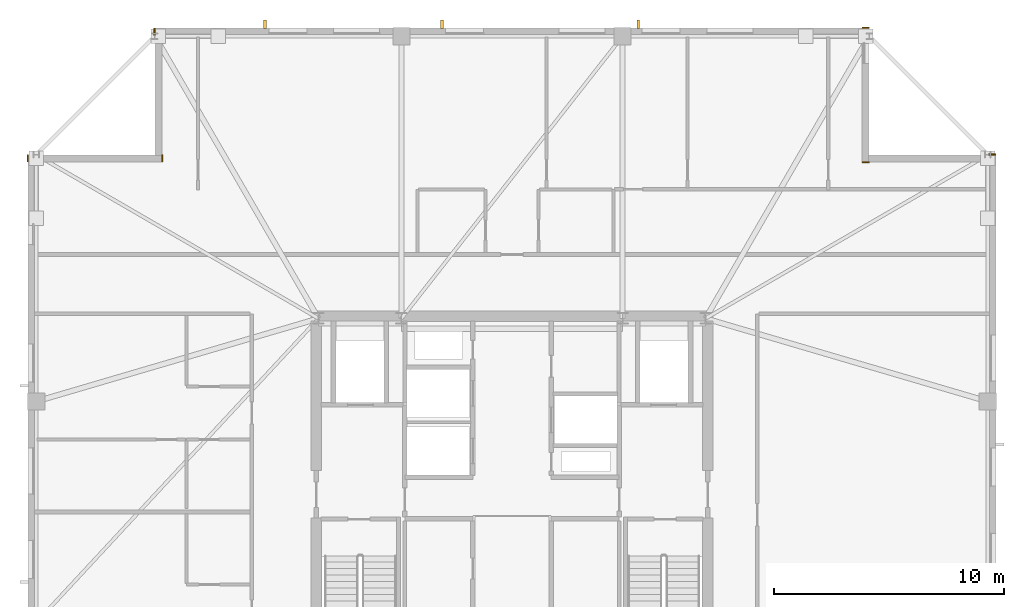
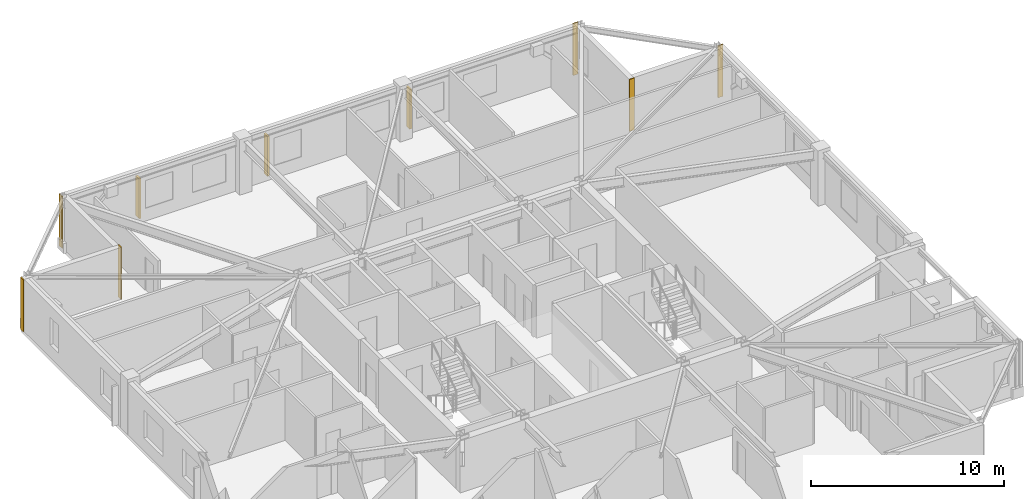
# One storey, part 15 of 15: 6 coverings, 3 shading devices.
"""IFC4 building model written with IfcOpenShell, lengths in metres."""

import ifcopenshell
import ifcopenshell.guid

model = None  # the IFC model being written
_history = None  # IfcOwnerHistory: only IFC2X3 demands one
_inside = {}  # id of a spatial element -> (the spatial element, [elements in it])
_under = {}  # id of a project, library or spatial element -> (it, [spatial elements below it])
_declared = {}  # id of a project -> (the project, [libraries it declares])
_typed = {}  # id of a type object -> (the type object, [elements of that type])
_made_of = {}  # id of a material, layer set ... -> (it, [elements and type objects made of it])


def new_model(schema):
    """Start an empty IFC model of exactly this schema.

    Asked for "IFC4X3", IfcOpenShell would pick the latest addendum, in which some entities
    have other attributes; the version numbers below select the first issue.
    IFC2X3 requires an IfcOwnerHistory on every rooted entity: one is made here for all.
    """
    global model, _history
    if schema == "IFC4X3":
        model = ifcopenshell.file(schema_version=(4, 3, 0, 0))
    else:
        model = ifcopenshell.file(schema=schema)
    _inside.clear()
    _under.clear()
    _declared.clear()
    _typed.clear()
    _made_of.clear()
    _history = None
    if model.schema == "IFC2X3":
        org = make("IfcOrganization", Name="unknown")
        user = make(
            "IfcPersonAndOrganization",
            ThePerson=make("IfcPerson", FamilyName="unknown"),
            TheOrganization=org,
        )
        app = make(
            "IfcApplication",
            ApplicationDeveloper=org,
            Version="unknown",
            ApplicationFullName="unknown",
            ApplicationIdentifier="unknown",
        )
        _history = make(
            "IfcOwnerHistory",
            OwningUser=user,
            OwningApplication=app,
            ChangeAction="ADDED",
            CreationDate=0,
        )
    return model


def make(cls, **values):
    """One entity of the class cls with the attributes given. An attribute that is None is left unset."""
    return model.create_entity(
        cls, **{name: value for name, value in values.items() if value is not None}
    )


def rooted(cls, **values):
    """An entity with a GlobalId (a new one), such as an element, a storey or a relation."""
    return make(cls, GlobalId=ifcopenshell.guid.new(), OwnerHistory=_history, **values)


def si_unit(unit_type, name, prefix=None):
    """IfcSIUnit, for example si_unit("LENGTHUNIT", "METRE", prefix="MILLI")."""
    return make("IfcSIUnit", UnitType=unit_type, Prefix=prefix, Name=name)


def assignment(units):
    """IfcUnitAssignment: the units of a project."""
    return None if units is None else make("IfcUnitAssignment", Units=units)


def point(xyz):
    """IfcCartesianPoint."""
    return None if xyz is None else make("IfcCartesianPoint", Coordinates=xyz)


def direction(xyz):
    """IfcDirection."""
    return None if xyz is None else make("IfcDirection", DirectionRatios=xyz)


def frame(location, z_axis=None, x_axis=None):
    """IfcAxis2Placement3D, a coordinate frame: its origin and axes. An axis left out is left unset."""
    return make(
        "IfcAxis2Placement3D",
        Location=point(location),
        Axis=direction(z_axis),
        RefDirection=direction(x_axis),
    )


def frame_2d(location, x_axis=None):
    """IfcAxis2Placement2D, a coordinate frame in the plane: its origin and x axis."""
    return make(
        "IfcAxis2Placement2D", Location=point(location), RefDirection=direction(x_axis)
    )


def origin():
    """The frame at (0, 0, 0) with its axes left unset."""
    return frame((0.0, 0.0, 0.0))


def origin_2d():
    """The frame at (0, 0) in the plane with its x axis left unset."""
    return frame_2d((0.0, 0.0))


def place(relative_to, where):
    """IfcLocalPlacement: puts the frame where relative to a parent placement (None: the world)."""
    return make(
        "IfcLocalPlacement", PlacementRelTo=relative_to, RelativePlacement=where
    )


def context(
    kind, dimensions, precision=None, world=None, true_north=None, identifier=None
):
    """IfcGeometricRepresentationContext, for example the 3D "Model" context."""
    return make(
        "IfcGeometricRepresentationContext",
        ContextIdentifier=identifier,
        ContextType=kind,
        CoordinateSpaceDimension=dimensions,
        Precision=precision,
        WorldCoordinateSystem=world,
        TrueNorth=true_north,
    )


def subcontext(parent, identifier, kind, view, scale=None):
    """IfcGeometricRepresentationSubContext, for example "Body" below "Model"."""
    return make(
        "IfcGeometricRepresentationSubContext",
        ContextIdentifier=identifier,
        ContextType=kind,
        ParentContext=parent,
        TargetScale=scale,
        TargetView=view,
    )


def project(units=None, contexts=None):
    """IfcProject with its units and contexts."""
    return rooted(
        "IfcProject",
        Name="project",
        RepresentationContexts=contexts,
        UnitsInContext=assignment(units),
    )


def spatial(cls, under=None, at=None, **own):
    """A site, building, storey or space (cls), placed at a placement, below another one or the project."""
    s = rooted(cls, ObjectPlacement=at, **own)
    if under is not None:
        _under.setdefault(under.id(), (under, []))[1].append(s)
    return s


def profile(cls, at=None, kind="AREA", **sizes):
    """A parametric profile (cls). Its sizes go by their IFC names, for example OverallWidth=200.0."""
    return make(cls, ProfileType=kind, Position=at, **sizes)


def rectangle(**sizes):
    """IfcRectangleProfileDef."""
    return profile("IfcRectangleProfileDef", **sizes)


def extrude(swept, where, along, depth):
    """IfcExtrudedAreaSolid: the profile swept, set in the frame where, extruded along a direction by depth."""
    return make(
        "IfcExtrudedAreaSolid",
        SweptArea=swept,
        Position=where,
        ExtrudedDirection=direction(along),
        Depth=depth,
    )


def shape(context_of_items, identifier, shape_type, items):
    """IfcShapeRepresentation: the items that make up one representation, for example the "Body"."""
    return make(
        "IfcShapeRepresentation",
        ContextOfItems=context_of_items,
        RepresentationIdentifier=identifier,
        RepresentationType=shape_type,
        Items=items,
    )


def material(Name=None, Category=None):
    """IfcMaterial."""
    return make("IfcMaterial", Name=Name, Category=Category)


def layer(
    of_material, thickness, ventilated=None, Name=None, Category=None, Priority=None
):
    """IfcMaterialLayer: one layer of a wall or slab, of a material (None: an air gap)."""
    return make(
        "IfcMaterialLayer",
        Material=of_material,
        LayerThickness=thickness,
        IsVentilated=ventilated,
        Name=Name,
        Category=Category,
        Priority=Priority,
    )


def layer_set(layers, Name=None):
    """IfcMaterialLayerSet."""
    return make("IfcMaterialLayerSet", MaterialLayers=layers, LayerSetName=Name)


def made_of(thing, what):
    """Note that an element or type object is made of a material, layer set ...; save() writes the relation."""
    if what is not None:
        _made_of.setdefault(what.id(), (what, []))[1].append(thing)
    return thing


def type_object(cls, material=None, **own):
    """A type object (cls), such as IfcWallType, which elements share."""
    return made_of(rooted(cls, **own), material)


def element(
    cls,
    number,
    at=None,
    inside=None,
    cuts=None,
    type_object=None,
    material=None,
    context=None,
    identifier="Body",
    shape_type=None,
    held_by="IfcProductDefinitionShape",
    body=None,
    shapes=None,
    **own,
):
    """One element of the class cls, such as IfcWall. Its Tag is "e" and its number.

    at: its placement. inside: the storey or other place that contains it. cuts: it is an
    opening in that element (IfcRelVoidsElement). A single representation is given by context,
    identifier, shape_type and body (its items); several are given by shapes. held_by: the class
    of the entity that holds the representations. save() writes the other relations.
    """
    e = rooted(cls, Tag="e%d" % number, ObjectPlacement=at, **own)
    if body is not None:
        shapes = [shape(context, identifier, shape_type, body)]
    if shapes is not None:
        e.Representation = make(held_by, Representations=shapes)
    if inside is not None:
        _inside.setdefault(inside.id(), (inside, []))[1].append(e)
    if cuts is not None:
        rooted(
            "IfcRelVoidsElement", RelatingBuildingElement=cuts, RelatedOpeningElement=e
        )
    if type_object is not None:
        _typed.setdefault(type_object.id(), (type_object, []))[1].append(e)
    return made_of(e, material)


def aggregate(whole, parts):
    """IfcRelAggregates: a whole, such as a stair, and the parts it consists of."""
    return rooted("IfcRelAggregates", RelatingObject=whole, RelatedObjects=parts)


def save(model, path):
    """Write the relations noted so far, then the file.

    IfcRelAggregates (storeys below a building ...), IfcRelContainedInSpatialStructure (elements
    in a storey), IfcRelDefinesByType, IfcRelAssociatesMaterial and IfcRelDeclares: one each for
    every whole, place, type object, material and project.
    """
    for whole, parts in _under.values():
        aggregate(whole, parts)
    for where, things in _inside.values():
        rooted(
            "IfcRelContainedInSpatialStructure",
            RelatedElements=things,
            RelatingStructure=where,
        )
    for kind, things in _typed.values():
        rooted("IfcRelDefinesByType", RelatedObjects=things, RelatingType=kind)
    for what, things in _made_of.values():
        rooted("IfcRelAssociatesMaterial", RelatedObjects=things, RelatingMaterial=what)
    for by, libraries in _declared.values():
        rooted("IfcRelDeclares", RelatingContext=by, RelatedDefinitions=libraries)
    model.write(path)


model = new_model("IFC4")

# Units and contexts
model_context = context("Model", 3, precision=1e-05, world=origin(), true_north=direction((0.0, 1.0)))
body_context = subcontext(model_context, "Body", "Model", "MODEL_VIEW")
ifc_project = project(units=[si_unit("LENGTHUNIT", "METRE"), si_unit("AREAUNIT", "SQUARE_METRE"), si_unit("VOLUMEUNIT", "CUBIC_METRE"), si_unit("PLANEANGLEUNIT", "RADIAN"), si_unit("MASSUNIT", "GRAM", prefix="KILO")], contexts=[model_context])

# Site, building, storey
site_placement = place(None, origin())
site = spatial("IfcSite", under=ifc_project, at=site_placement, CompositionType="ELEMENT")
building_placement = place(site_placement, origin())
building = spatial("IfcBuilding", under=site, at=building_placement, Name="Cairnveth Concourse Tower", CompositionType="ELEMENT")
storey_placement = place(building_placement, frame((0.0, 0.0, 298.0)))
storey = spatial("IfcBuildingStorey", under=building, at=storey_placement, Name="L82", CompositionType="ELEMENT", Elevation=298.0)

# Coverings
ifc_material_1 = material(Name="Dressed Melbourne Bluestone Cladding", Category="masonry")
ifc_layer = layer(ifc_material_1, 0.050048828125)
ifc_layer_set = layer_set([ifc_layer], Name="Dressed Melbourne Bluestone Cladding")
covering_type = type_object("IfcCoveringType", Name="DRESSED BLUESTONE PLINTH CLADDING 50", PredefinedType="CLADDING", material=ifc_layer_set)
for number, where, z_axis, x_axis, name in (
    (1, (30.97998046875, 54.199951171875, 0.0), (0.0, 0.0, 1.0), (0.0, 1.0, 0.0), "Melbourne Bluestone Corner Quoin L82-1250"),
    (2, (36.820068359375, 54.199951171875, 0.0), (0.0, 0.0, 1.0), (0.0, 1.0, 0.0), "Melbourne Bluestone Corner Quoin L82-1251"),
    (3, (36.47998046875, 59.699951171875, 0.0), (0.0, 0.0, 1.0), (0.0, 1.0, 0.0), "Melbourne Bluestone Corner Quoin L82-1252"),
    (4, (67.199951171875, 60.02001953125, 0.0), (0.0, 0.0, 1.0), (1.0, 0.0, 0.0), "Melbourne Bluestone Corner Quoin L82-1253"),
    (5, (67.199951171875, 54.179931640625, 0.0), (0.0, 0.0, 1.0), (1.0, 0.0, 0.0), "Melbourne Bluestone Corner Quoin L82-1254"),
    (6, (72.699951171875, 54.52001953125, 0.0), (0.0, 0.0, 1.0), (1.0, 0.0, 0.0), "Melbourne Bluestone Corner Quoin L82-1255"),
):
    element("IfcCovering", number, at=place(storey_placement, frame(where, z_axis=z_axis, x_axis=x_axis)), inside=storey, type_object=covering_type, Name=name, PredefinedType="CLADDING", context=body_context, shape_type="SweptSolid", body=[
        extrude(rectangle(XDim=0.300048828125, YDim=0.050048828125, at=frame_2d((0.14990234375, 0.0))), origin(), (0.0, 0.0, 1.0), 3.2900390625),
    ])

# Shading devices
ifc_material_2 = material(Name="Architectural Bronze Anodised Aluminium 6063-T6", Category="aluminium")
shading_device_type = type_object("IfcShadingDeviceType", Name="GOTHIC BRONZE VERTICAL LANCET FIN", PredefinedType="USERDEFINED", material=ifc_material_2)
for number, where, z_axis, x_axis, name in (
    (7, (41.283447265625, 60.175048828125, 0.030029296875), (0.0, 0.0, 1.0), (1.0, 0.0, 0.0), "Gothic Bronze Vertical Fin L82-9-1"),
    (8, (48.95751953125, 60.175048828125, 0.030029296875), (0.0, 0.0, 1.0), (1.0, 0.0, 0.0), "Gothic Bronze Vertical Fin L82-9-3"),
    (9, (57.4814453125, 60.175048828125, 0.030029296875), (0.0, 0.0, 1.0), (1.0, 0.0, 0.0), "Gothic Bronze Vertical Fin L82-9-5"),
):
    element("IfcShadingDevice", number, at=place(storey_placement, frame(where, z_axis=z_axis, x_axis=x_axis)), inside=storey, type_object=shading_device_type, Name=name, ObjectType="VERTICAL FIN", PredefinedType="USERDEFINED", context=body_context, shape_type="SweptSolid", body=[
        extrude(rectangle(XDim=0.1201171875, YDim=0.360107421875, at=origin_2d()), origin(), (0.0, 0.0, 1.0), 2.51806640625),
    ])

save(model, "model.ifc")
